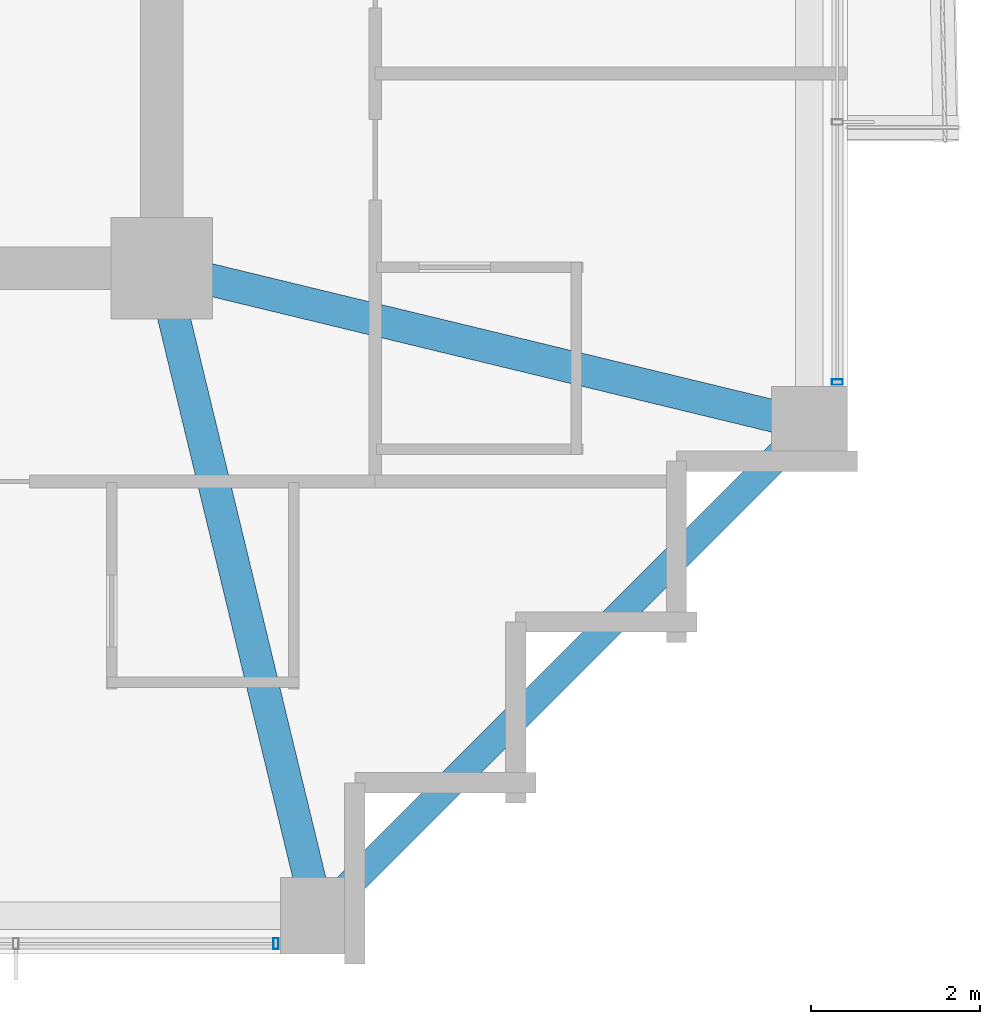
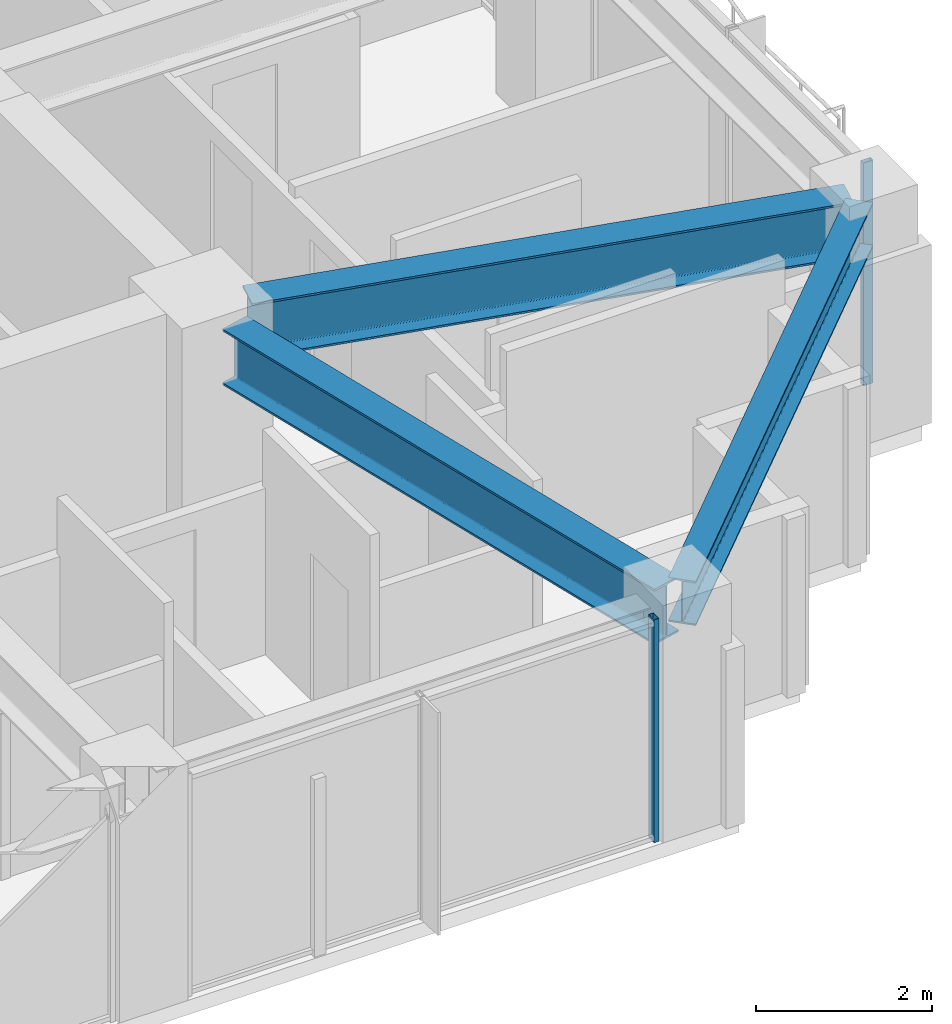
# One storey, part 12 of 32: 3 beams, 2 members, 2 elements without a shape of their own.
"""IFC4 building model written with IfcOpenShell, lengths in metres."""

from ifc_helpers import new_model, si_unit, direction, frame, origin, origin_2d, place, context, subcontext, project, spatial, hollow_rectangle, i_section, extrude, material, material_profile, profile_set, type_object, element, aggregate, save


model = new_model("IFC4")

# Units and contexts
model_context = context("Model", 3, precision=1e-05, world=origin(), true_north=direction((0.0, 1.0)))
body_context = subcontext(model_context, "Body", "Model", "MODEL_VIEW")
ifc_project = project(units=[si_unit("LENGTHUNIT", "METRE"), si_unit("AREAUNIT", "SQUARE_METRE"), si_unit("VOLUMEUNIT", "CUBIC_METRE"), si_unit("PLANEANGLEUNIT", "RADIAN"), si_unit("MASSUNIT", "GRAM", prefix="KILO")], contexts=[model_context])

# Site, building, storey
site_placement = place(None, origin())
site = spatial("IfcSite", under=ifc_project, at=site_placement, CompositionType="ELEMENT")
building_placement = place(site_placement, origin())
building = spatial("IfcBuilding", under=site, at=building_placement, Name="Kolvaren Belvedere", CompositionType="ELEMENT")
storey_placement = place(building_placement, frame((0.0, 0.0, 141.5)))
storey = spatial("IfcBuildingStorey", under=building, at=storey_placement, Name="L41", CompositionType="ELEMENT", Elevation=141.5)

# Beams
ifc_material_1 = material(Name="Structural steel ASTM A992 Grade 50", Category="steel")
ifc_material_profile_1 = material_profile(ifc_material_1, i_section(OverallWidth=0.381103515625, OverallDepth=0.77294921875, WebThickness=0.0166015625, FlangeThickness=0.027099609375, FilletRadius=0.02392578125, at=origin_2d()), Name="W30X173")
ifc_profile_set_1 = profile_set([ifc_material_profile_1], Name="Structural steel ASTM A992 Grade 50")
beam_type_1 = type_object("IfcBeamType", Name="BM-GIRD-W30X173", PredefinedType="BEAM", material=ifc_profile_set_1)
for number, where, z_axis, x_axis, name in (
    (1, (10.029296875, -10.4345703125, 2.71337890625), (0.235062749937, -0.971980197119, 0.0), (0.971980197119, 0.235062749937, 0.0), "L41 Corner Core-to-Perimeter Girder CC2-S4"),
    (2, (10.4345703125, -10.029296875, 2.71337890625), (0.971980197119, -0.235062749937, 0.0), (0.235062749937, 0.971980197119, 0.0), "L41 Corner Core-to-Perimeter Girder CC2-E1"),
):
    element("IfcBeam", number, at=place(storey_placement, frame(where, z_axis=z_axis, x_axis=x_axis)), inside=storey, type_object=beam_type_1, Name=name, PredefinedType="BEAM", context=body_context, shape_type="SweptSolid", body=[
        extrude(i_section(OverallWidth=0.381103515625, OverallDepth=0.77294921875, WebThickness=0.0166015625, FlangeThickness=0.027099609375, FilletRadius=0.02392578125, at=origin_2d()), origin(), (0.0, 0.0, 1.0), 7.140625),
    ])
ifc_material_2 = material(Name="Structural steel ASTM A992 Grade 50", Category="steel")
ifc_material_profile_2 = material_profile(ifc_material_2, i_section(OverallWidth=0.324951171875, OverallDepth=0.615966796875, WebThickness=0.013916015625, FlangeThickness=0.021484375, FilletRadius=0.02001953125, at=origin_2d()), Name="W24X117")
ifc_profile_set_2 = profile_set([ifc_material_profile_2], Name="Structural steel ASTM A992 Grade 50")
beam_type_2 = type_object("IfcBeamType", Name="BM-SPAN-W24X117", PredefinedType="SPANDREL", material=ifc_profile_set_2)
beam_placement = place(storey_placement, frame((11.893310546875, -17.40673828125, 2.7919921875), z_axis=(0.707106781187, 0.707106781187, 0.0), x_axis=(-0.707106781187, 0.707106781187, 0.0)))
element("IfcBeam", 3, at=beam_placement, inside=storey, type_object=beam_type_2, Name="L41 Perimeter Spandrel S4-E1", PredefinedType="SPANDREL", context=body_context, shape_type="SweptSolid", body=[
    extrude(i_section(OverallWidth=0.324951171875, OverallDepth=0.615966796875, WebThickness=0.013916015625, FlangeThickness=0.021484375, FilletRadius=0.02001953125, at=origin_2d()), origin(), (0.0, 0.0, 1.0), 7.797119140625),
])

# Curtain wall, member
ifc_material_3 = material(Name="Anodised pale-metal aluminium AA 6063-T6", Category="aluminium")
curtain_wall_type = type_object("IfcCurtainWallType", Name="CW-Z3-WAIST", PredefinedType="NOTDEFINED", material=ifc_material_3)
curtain_wall_1_placement = place(storey_placement, origin())
curtain_wall_1 = element("IfcCurtainWall", 4, at=curtain_wall_1_placement, inside=storey, type_object=curtain_wall_type, Name="L41 Unitised Curtain Wall FCW-L41-S-B1", PredefinedType="NOTDEFINED")
ifc_material_4 = material(Name="Anodised pale-metal aluminium AA 6063-T6", Category="aluminium")
ifc_material_profile_3 = material_profile(ifc_material_4, hollow_rectangle(XDim=0.06494140625, YDim=0.1298828125, WallThickness=0.00390625, at=origin_2d()), Name="ALU-MUL-130X65")
ifc_profile_set_3 = profile_set([ifc_material_profile_3], Name="Anodised pale-metal aluminium AA 6063-T6")
member_type = type_object("IfcMemberType", Name="CW-MUL-130", PredefinedType="MULLION", material=ifc_profile_set_3)
member_1_placement = place(storey_placement, frame((11.24755859375, -17.8798828125, 0.0), z_axis=(0.0, 0.0, 1.0), x_axis=(1.0, 0.0, 0.0)))
member_1 = element("IfcMember", 5, at=member_1_placement, type_object=member_type, Name="FCW-L41-S-B1 Unitised Mullion 1", PredefinedType="MULLION", context=body_context, shape_type="SweptSolid", body=[
    extrude(hollow_rectangle(XDim=0.06494140625, YDim=0.1298828125, WallThickness=0.00390625, at=origin_2d()), origin(), (0.0, 0.0, 1.0), 3.10009765625),
])
aggregate(curtain_wall_1, [member_1])

curtain_wall_2_placement = place(storey_placement, origin())
curtain_wall_2 = element("IfcCurtainWall", 6, at=curtain_wall_2_placement, inside=storey, type_object=curtain_wall_type, Name="L41 Unitised Curtain Wall FCW-L41-E2-B2", PredefinedType="NOTDEFINED")
member_2_placement = place(storey_placement, frame((17.8798828125, -11.24755859375, 0.0), z_axis=(0.0, 0.0, 1.0), x_axis=(0.0, 1.0, 0.0)))
member_2 = element("IfcMember", 7, at=member_2_placement, type_object=member_type, Name="FCW-L41-E2-B2 Unitised Mullion 3", PredefinedType="MULLION", context=body_context, shape_type="SweptSolid", body=[
    extrude(hollow_rectangle(XDim=0.06494140625, YDim=0.1298828125, WallThickness=0.00390625, at=origin_2d()), origin(), (0.0, 0.0, 1.0), 3.10009765625),
])
aggregate(curtain_wall_2, [member_2])

save(model, "model.ifc")
